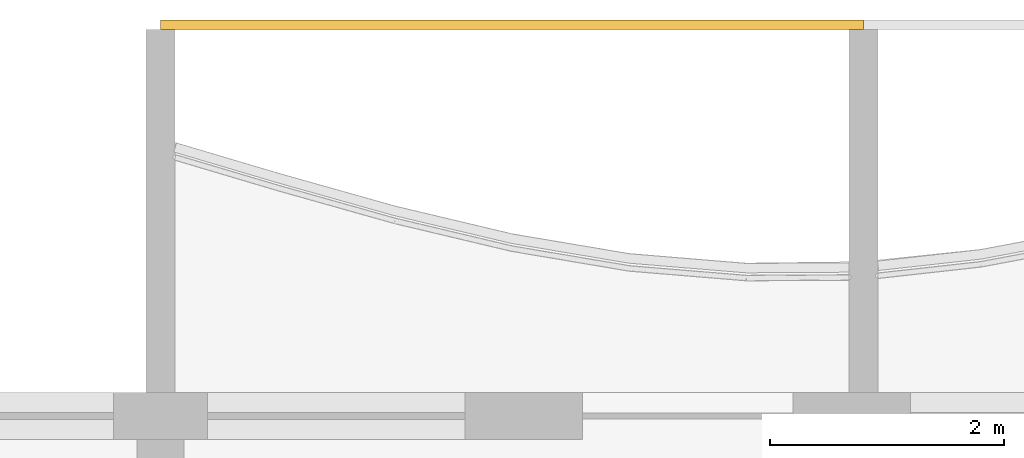
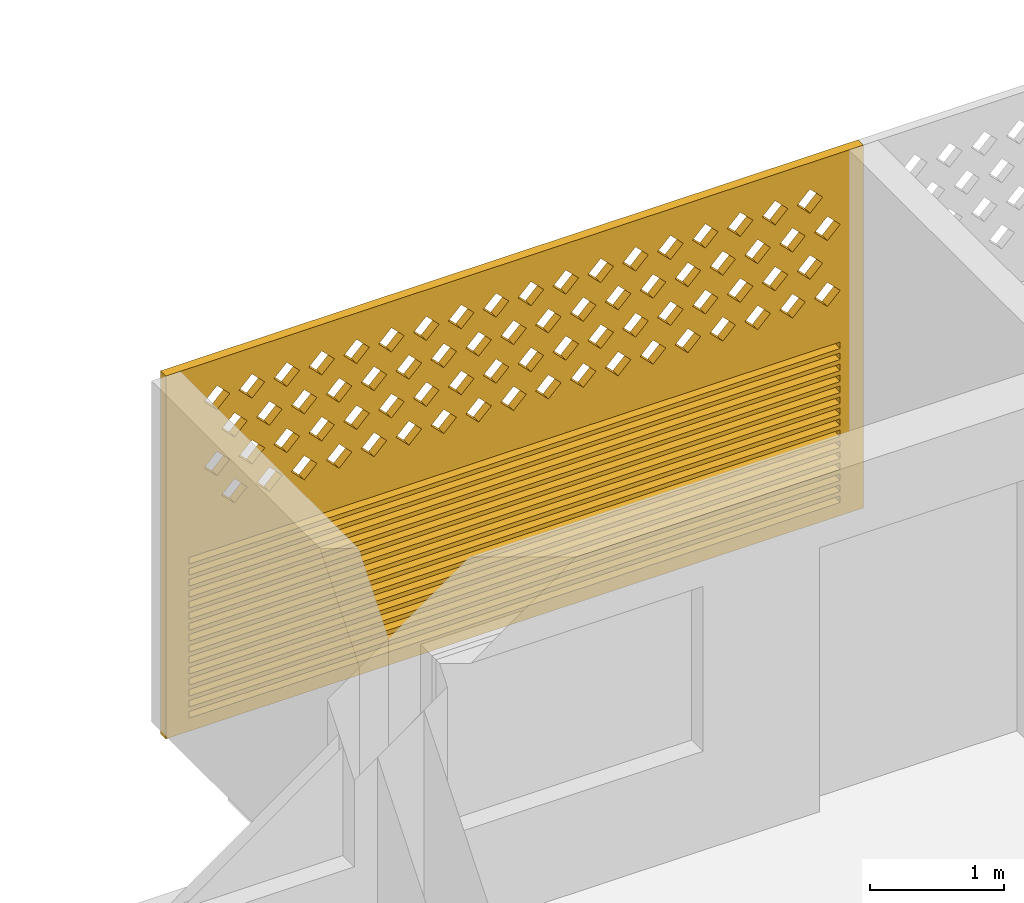
# One storey, part 36 of 38: 1 covering.
"""IFC4 building model written with IfcOpenShell, lengths in metres."""

from ifc_helpers import new_model, si_unit, direction, frame, origin, place, context, subcontext, project, spatial, polyline, outline, extrude, source, transform, mapped, material, material_profile, profile_set, type_object, element, save


model = new_model("IFC4")

# Units and contexts
model_context = context("Model", 3, precision=1e-05, world=origin(), true_north=direction((0.0, 1.0)))
body_context = subcontext(model_context, "Body", "Model", "MODEL_VIEW")
ifc_project = project(units=[si_unit("LENGTHUNIT", "METRE"), si_unit("AREAUNIT", "SQUARE_METRE"), si_unit("VOLUMEUNIT", "CUBIC_METRE"), si_unit("PLANEANGLEUNIT", "RADIAN"), si_unit("MASSUNIT", "GRAM", prefix="KILO")], contexts=[model_context])

# Site, building, storey
site_placement = place(None, origin())
site = spatial("IfcSite", under=ifc_project, at=site_placement, CompositionType="ELEMENT")
building_placement = place(site_placement, origin())
building = spatial("IfcBuilding", under=site, at=building_placement, Name="Poui Terraces", CompositionType="ELEMENT")
storey_placement = place(building_placement, frame((0.0, 0.0, 43.199951171875)))
storey = spatial("IfcBuildingStorey", under=building, at=storey_placement, Name="L11", CompositionType="ELEMENT", Elevation=43.199951171875)

# Covering
ifc_material = material(Name="Terracotta screen", Category="masonry")
ifc_material_profile = material_profile(ifc_material, outline(polyline([(-3.0, -1.64990234375), (3.0, -1.64990234375), (3.0, 1.64990234375), (-3.0, 1.64990234375), (-3.0, -1.64990234375)]), holes=[polyline([(-2.800048828125, 0.39990234375), (-2.68994140625, 0.2900390625), (-2.580078125, 0.39990234375), (-2.68994140625, 0.510009765625), (-2.800048828125, 0.39990234375)]), polyline([(-2.5, 0.39990234375), (-2.389892578125, 0.2900390625), (-2.280029296875, 0.39990234375), (-2.389892578125, 0.510009765625), (-2.5, 0.39990234375)]), polyline([(-2.199951171875, 0.39990234375), (-2.090087890625, 0.2900390625), (-1.97998046875, 0.39990234375), (-2.090087890625, 0.510009765625), (-2.199951171875, 0.39990234375)]), polyline([(-1.89990234375, 0.39990234375), (-1.7900390625, 0.2900390625), (-1.679931640625, 0.39990234375), (-1.7900390625, 0.510009765625), (-1.89990234375, 0.39990234375)]), polyline([(-1.60009765625, 0.39990234375), (-1.489990234375, 0.2900390625), (-1.3798828125, 0.39990234375), (-1.489990234375, 0.510009765625), (-1.60009765625, 0.39990234375)]), polyline([(-1.300048828125, 0.39990234375), (-1.18994140625, 0.2900390625), (-1.080078125, 0.39990234375), (-1.18994140625, 0.510009765625), (-1.300048828125, 0.39990234375)]), polyline([(-1.0, 0.39990234375), (-0.889892578125, 0.2900390625), (-0.780029296875, 0.39990234375), (-0.889892578125, 0.510009765625), (-1.0, 0.39990234375)]), polyline([(-0.699951171875, 0.39990234375), (-0.590087890625, 0.2900390625), (-0.47998046875, 0.39990234375), (-0.590087890625, 0.510009765625), (-0.699951171875, 0.39990234375)]), polyline([(-0.39990234375, 0.39990234375), (-0.2900390625, 0.2900390625), (-0.179931640625, 0.39990234375), (-0.2900390625, 0.510009765625), (-0.39990234375, 0.39990234375)]), polyline([(-0.10009765625, 0.39990234375), (0.010009765625, 0.2900390625), (0.1201171875, 0.39990234375), (0.010009765625, 0.510009765625), (-0.10009765625, 0.39990234375)]), polyline([(0.199951171875, 0.39990234375), (0.31005859375, 0.2900390625), (0.419921875, 0.39990234375), (0.31005859375, 0.510009765625), (0.199951171875, 0.39990234375)]), polyline([(0.5, 0.39990234375), (0.610107421875, 0.2900390625), (0.719970703125, 0.39990234375), (0.610107421875, 0.510009765625), (0.5, 0.39990234375)]), polyline([(0.800048828125, 0.39990234375), (0.909912109375, 0.2900390625), (1.02001953125, 0.39990234375), (0.909912109375, 0.510009765625), (0.800048828125, 0.39990234375)]), polyline([(1.10009765625, 0.39990234375), (1.2099609375, 0.2900390625), (1.320068359375, 0.39990234375), (1.2099609375, 0.510009765625), (1.10009765625, 0.39990234375)]), polyline([(1.39990234375, 0.39990234375), (1.510009765625, 0.2900390625), (1.6201171875, 0.39990234375), (1.510009765625, 0.510009765625), (1.39990234375, 0.39990234375)]), polyline([(1.699951171875, 0.39990234375), (1.81005859375, 0.2900390625), (1.919921875, 0.39990234375), (1.81005859375, 0.510009765625), (1.699951171875, 0.39990234375)]), polyline([(2.0, 0.39990234375), (2.110107421875, 0.2900390625), (2.219970703125, 0.39990234375), (2.110107421875, 0.510009765625), (2.0, 0.39990234375)]), polyline([(2.300048828125, 0.39990234375), (2.409912109375, 0.2900390625), (2.52001953125, 0.39990234375), (2.409912109375, 0.510009765625), (2.300048828125, 0.39990234375)]), polyline([(-2.64990234375, 0.699951171875), (-2.5400390625, 0.590087890625), (-2.429931640625, 0.699951171875), (-2.5400390625, 0.81005859375), (-2.64990234375, 0.699951171875)]), polyline([(-2.35009765625, 0.699951171875), (-2.239990234375, 0.590087890625), (-2.1298828125, 0.699951171875), (-2.239990234375, 0.81005859375), (-2.35009765625, 0.699951171875)]), polyline([(-2.050048828125, 0.699951171875), (-1.93994140625, 0.590087890625), (-1.830078125, 0.699951171875), (-1.93994140625, 0.81005859375), (-2.050048828125, 0.699951171875)]), polyline([(-1.75, 0.699951171875), (-1.639892578125, 0.590087890625), (-1.530029296875, 0.699951171875), (-1.639892578125, 0.81005859375), (-1.75, 0.699951171875)]), polyline([(-1.449951171875, 0.699951171875), (-1.340087890625, 0.590087890625), (-1.22998046875, 0.699951171875), (-1.340087890625, 0.81005859375), (-1.449951171875, 0.699951171875)]), polyline([(-1.14990234375, 0.699951171875), (-1.0400390625, 0.590087890625), (-0.929931640625, 0.699951171875), (-1.0400390625, 0.81005859375), (-1.14990234375, 0.699951171875)]), polyline([(-0.85009765625, 0.699951171875), (-0.739990234375, 0.590087890625), (-0.6298828125, 0.699951171875), (-0.739990234375, 0.81005859375), (-0.85009765625, 0.699951171875)]), polyline([(-0.550048828125, 0.699951171875), (-0.43994140625, 0.590087890625), (-0.330078125, 0.699951171875), (-0.43994140625, 0.81005859375), (-0.550048828125, 0.699951171875)]), polyline([(-0.25, 0.699951171875), (-0.139892578125, 0.590087890625), (-0.030029296875, 0.699951171875), (-0.139892578125, 0.81005859375), (-0.25, 0.699951171875)]), polyline([(0.050048828125, 0.699951171875), (0.159912109375, 0.590087890625), (0.27001953125, 0.699951171875), (0.159912109375, 0.81005859375), (0.050048828125, 0.699951171875)]), polyline([(0.35009765625, 0.699951171875), (0.4599609375, 0.590087890625), (0.570068359375, 0.699951171875), (0.4599609375, 0.81005859375), (0.35009765625, 0.699951171875)]), polyline([(0.64990234375, 0.699951171875), (0.760009765625, 0.590087890625), (0.8701171875, 0.699951171875), (0.760009765625, 0.81005859375), (0.64990234375, 0.699951171875)]), polyline([(0.949951171875, 0.699951171875), (1.06005859375, 0.590087890625), (1.169921875, 0.699951171875), (1.06005859375, 0.81005859375), (0.949951171875, 0.699951171875)]), polyline([(1.25, 0.699951171875), (1.360107421875, 0.590087890625), (1.469970703125, 0.699951171875), (1.360107421875, 0.81005859375), (1.25, 0.699951171875)]), polyline([(1.550048828125, 0.699951171875), (1.659912109375, 0.590087890625), (1.77001953125, 0.699951171875), (1.659912109375, 0.81005859375), (1.550048828125, 0.699951171875)]), polyline([(1.85009765625, 0.699951171875), (1.9599609375, 0.590087890625), (2.070068359375, 0.699951171875), (1.9599609375, 0.81005859375), (1.85009765625, 0.699951171875)]), polyline([(2.14990234375, 0.699951171875), (2.260009765625, 0.590087890625), (2.3701171875, 0.699951171875), (2.260009765625, 0.81005859375), (2.14990234375, 0.699951171875)]), polyline([(2.449951171875, 0.699951171875), (2.56005859375, 0.590087890625), (2.669921875, 0.699951171875), (2.56005859375, 0.81005859375), (2.449951171875, 0.699951171875)]), polyline([(-2.800048828125, 1.0), (-2.68994140625, 0.889892578125), (-2.580078125, 1.0), (-2.68994140625, 1.110107421875), (-2.800048828125, 1.0)]), polyline([(-2.5, 1.0), (-2.389892578125, 0.889892578125), (-2.280029296875, 1.0), (-2.389892578125, 1.110107421875), (-2.5, 1.0)]), polyline([(-2.199951171875, 1.0), (-2.090087890625, 0.889892578125), (-1.97998046875, 1.0), (-2.090087890625, 1.110107421875), (-2.199951171875, 1.0)]), polyline([(-1.89990234375, 1.0), (-1.7900390625, 0.889892578125), (-1.679931640625, 1.0), (-1.7900390625, 1.110107421875), (-1.89990234375, 1.0)]), polyline([(-1.60009765625, 1.0), (-1.489990234375, 0.889892578125), (-1.3798828125, 1.0), (-1.489990234375, 1.110107421875), (-1.60009765625, 1.0)]), polyline([(-1.300048828125, 1.0), (-1.18994140625, 0.889892578125), (-1.080078125, 1.0), (-1.18994140625, 1.110107421875), (-1.300048828125, 1.0)]), polyline([(-1.0, 1.0), (-0.889892578125, 0.889892578125), (-0.780029296875, 1.0), (-0.889892578125, 1.110107421875), (-1.0, 1.0)]), polyline([(-0.699951171875, 1.0), (-0.590087890625, 0.889892578125), (-0.47998046875, 1.0), (-0.590087890625, 1.110107421875), (-0.699951171875, 1.0)]), polyline([(-0.39990234375, 1.0), (-0.2900390625, 0.889892578125), (-0.179931640625, 1.0), (-0.2900390625, 1.110107421875), (-0.39990234375, 1.0)]), polyline([(-0.10009765625, 1.0), (0.010009765625, 0.889892578125), (0.1201171875, 1.0), (0.010009765625, 1.110107421875), (-0.10009765625, 1.0)]), polyline([(0.199951171875, 1.0), (0.31005859375, 0.889892578125), (0.419921875, 1.0), (0.31005859375, 1.110107421875), (0.199951171875, 1.0)]), polyline([(0.5, 1.0), (0.610107421875, 0.889892578125), (0.719970703125, 1.0), (0.610107421875, 1.110107421875), (0.5, 1.0)]), polyline([(0.800048828125, 1.0), (0.909912109375, 0.889892578125), (1.02001953125, 1.0), (0.909912109375, 1.110107421875), (0.800048828125, 1.0)]), polyline([(1.10009765625, 1.0), (1.2099609375, 0.889892578125), (1.320068359375, 1.0), (1.2099609375, 1.110107421875), (1.10009765625, 1.0)]), polyline([(1.39990234375, 1.0), (1.510009765625, 0.889892578125), (1.6201171875, 1.0), (1.510009765625, 1.110107421875), (1.39990234375, 1.0)]), polyline([(1.699951171875, 1.0), (1.81005859375, 0.889892578125), (1.919921875, 1.0), (1.81005859375, 1.110107421875), (1.699951171875, 1.0)]), polyline([(2.0, 1.0), (2.110107421875, 0.889892578125), (2.219970703125, 1.0), (2.110107421875, 1.110107421875), (2.0, 1.0)]), polyline([(2.300048828125, 1.0), (2.409912109375, 0.889892578125), (2.52001953125, 1.0), (2.409912109375, 1.110107421875), (2.300048828125, 1.0)]), polyline([(-2.64990234375, 1.300048828125), (-2.5400390625, 1.18994140625), (-2.429931640625, 1.300048828125), (-2.5400390625, 1.409912109375), (-2.64990234375, 1.300048828125)]), polyline([(-2.35009765625, 1.300048828125), (-2.239990234375, 1.18994140625), (-2.1298828125, 1.300048828125), (-2.239990234375, 1.409912109375), (-2.35009765625, 1.300048828125)]), polyline([(-2.050048828125, 1.300048828125), (-1.93994140625, 1.18994140625), (-1.830078125, 1.300048828125), (-1.93994140625, 1.409912109375), (-2.050048828125, 1.300048828125)]), polyline([(-1.75, 1.300048828125), (-1.639892578125, 1.18994140625), (-1.530029296875, 1.300048828125), (-1.639892578125, 1.409912109375), (-1.75, 1.300048828125)]), polyline([(-1.449951171875, 1.300048828125), (-1.340087890625, 1.18994140625), (-1.22998046875, 1.300048828125), (-1.340087890625, 1.409912109375), (-1.449951171875, 1.300048828125)]), polyline([(-1.14990234375, 1.300048828125), (-1.0400390625, 1.18994140625), (-0.929931640625, 1.300048828125), (-1.0400390625, 1.409912109375), (-1.14990234375, 1.300048828125)]), polyline([(-0.85009765625, 1.300048828125), (-0.739990234375, 1.18994140625), (-0.6298828125, 1.300048828125), (-0.739990234375, 1.409912109375), (-0.85009765625, 1.300048828125)]), polyline([(-0.550048828125, 1.300048828125), (-0.43994140625, 1.18994140625), (-0.330078125, 1.300048828125), (-0.43994140625, 1.409912109375), (-0.550048828125, 1.300048828125)]), polyline([(-0.25, 1.300048828125), (-0.139892578125, 1.18994140625), (-0.030029296875, 1.300048828125), (-0.139892578125, 1.409912109375), (-0.25, 1.300048828125)]), polyline([(0.050048828125, 1.300048828125), (0.159912109375, 1.18994140625), (0.27001953125, 1.300048828125), (0.159912109375, 1.409912109375), (0.050048828125, 1.300048828125)]), polyline([(0.35009765625, 1.300048828125), (0.4599609375, 1.18994140625), (0.570068359375, 1.300048828125), (0.4599609375, 1.409912109375), (0.35009765625, 1.300048828125)]), polyline([(0.64990234375, 1.300048828125), (0.760009765625, 1.18994140625), (0.8701171875, 1.300048828125), (0.760009765625, 1.409912109375), (0.64990234375, 1.300048828125)]), polyline([(0.949951171875, 1.300048828125), (1.06005859375, 1.18994140625), (1.169921875, 1.300048828125), (1.06005859375, 1.409912109375), (0.949951171875, 1.300048828125)]), polyline([(1.25, 1.300048828125), (1.360107421875, 1.18994140625), (1.469970703125, 1.300048828125), (1.360107421875, 1.409912109375), (1.25, 1.300048828125)]), polyline([(1.550048828125, 1.300048828125), (1.659912109375, 1.18994140625), (1.77001953125, 1.300048828125), (1.659912109375, 1.409912109375), (1.550048828125, 1.300048828125)]), polyline([(1.85009765625, 1.300048828125), (1.9599609375, 1.18994140625), (2.070068359375, 1.300048828125), (1.9599609375, 1.409912109375), (1.85009765625, 1.300048828125)]), polyline([(2.14990234375, 1.300048828125), (2.260009765625, 1.18994140625), (2.3701171875, 1.300048828125), (2.260009765625, 1.409912109375), (2.14990234375, 1.300048828125)]), polyline([(2.449951171875, 1.300048828125), (2.56005859375, 1.18994140625), (2.669921875, 1.300048828125), (2.56005859375, 1.409912109375), (2.449951171875, 1.300048828125)]), polyline([(-2.800048828125, -1.530029296875), (2.800048828125, -1.530029296875), (2.800048828125, -1.469970703125), (-2.800048828125, -1.469970703125), (-2.800048828125, -1.530029296875)]), polyline([(-2.800048828125, -1.429931640625), (2.800048828125, -1.429931640625), (2.800048828125, -1.3701171875), (-2.800048828125, -1.3701171875), (-2.800048828125, -1.429931640625)]), polyline([(-2.800048828125, -1.330078125), (2.800048828125, -1.330078125), (2.800048828125, -1.27001953125), (-2.800048828125, -1.27001953125), (-2.800048828125, -1.330078125)]), polyline([(-2.800048828125, -1.22998046875), (2.800048828125, -1.22998046875), (2.800048828125, -1.169921875), (-2.800048828125, -1.169921875), (-2.800048828125, -1.22998046875)]), polyline([(-2.800048828125, -1.1298828125), (2.800048828125, -1.1298828125), (2.800048828125, -1.070068359375), (-2.800048828125, -1.070068359375), (-2.800048828125, -1.1298828125)]), polyline([(-2.800048828125, -1.030029296875), (2.800048828125, -1.030029296875), (2.800048828125, -0.969970703125), (-2.800048828125, -0.969970703125), (-2.800048828125, -1.030029296875)]), polyline([(-2.800048828125, -0.929931640625), (2.800048828125, -0.929931640625), (2.800048828125, -0.8701171875), (-2.800048828125, -0.8701171875), (-2.800048828125, -0.929931640625)]), polyline([(-2.800048828125, -0.830078125), (2.800048828125, -0.830078125), (2.800048828125, -0.77001953125), (-2.800048828125, -0.77001953125), (-2.800048828125, -0.830078125)]), polyline([(-2.800048828125, -0.72998046875), (2.800048828125, -0.72998046875), (2.800048828125, -0.669921875), (-2.800048828125, -0.669921875), (-2.800048828125, -0.72998046875)]), polyline([(-2.800048828125, -0.6298828125), (2.800048828125, -0.6298828125), (2.800048828125, -0.570068359375), (-2.800048828125, -0.570068359375), (-2.800048828125, -0.6298828125)]), polyline([(-2.800048828125, -0.530029296875), (2.800048828125, -0.530029296875), (2.800048828125, -0.469970703125), (-2.800048828125, -0.469970703125), (-2.800048828125, -0.530029296875)]), polyline([(-2.800048828125, -0.429931640625), (2.800048828125, -0.429931640625), (2.800048828125, -0.3701171875), (-2.800048828125, -0.3701171875), (-2.800048828125, -0.429931640625)]), polyline([(-2.800048828125, -0.330078125), (2.800048828125, -0.330078125), (2.800048828125, -0.27001953125), (-2.800048828125, -0.27001953125), (-2.800048828125, -0.330078125)]), polyline([(-2.800048828125, -0.22998046875), (2.800048828125, -0.22998046875), (2.800048828125, -0.169921875), (-2.800048828125, -0.169921875), (-2.800048828125, -0.22998046875)]), polyline([(-2.800048828125, -0.1298828125), (2.800048828125, -0.1298828125), (2.800048828125, -0.070068359375), (-2.800048828125, -0.070068359375), (-2.800048828125, -0.1298828125)])]), Name="TERRACOTTA SCREEN AND JALOUSIE LOUVRE 6000X3300")
ifc_profile_set = profile_set([ifc_material_profile], Name="Terracotta screen")
covering_type = type_object("IfcCoveringType", Name="TERRACOTTA SCREEN AND JALOUSIE LOUVRE 6000X3300", PredefinedType="CLADDING", material=ifc_profile_set)
shared_shape = source(origin(), body_context, "Body", "SweptSolid", [
    extrude(outline(polyline([(-3.0, -1.64990234375), (3.0, -1.64990234375), (3.0, 1.64990234375), (-3.0, 1.64990234375), (-3.0, -1.64990234375)]), holes=[polyline([(-2.800048828125, 0.39990234375), (-2.68994140625, 0.2900390625), (-2.580078125, 0.39990234375), (-2.68994140625, 0.510009765625), (-2.800048828125, 0.39990234375)]), polyline([(-2.5, 0.39990234375), (-2.389892578125, 0.2900390625), (-2.280029296875, 0.39990234375), (-2.389892578125, 0.510009765625), (-2.5, 0.39990234375)]), polyline([(-2.199951171875, 0.39990234375), (-2.090087890625, 0.2900390625), (-1.97998046875, 0.39990234375), (-2.090087890625, 0.510009765625), (-2.199951171875, 0.39990234375)]), polyline([(-1.89990234375, 0.39990234375), (-1.7900390625, 0.2900390625), (-1.679931640625, 0.39990234375), (-1.7900390625, 0.510009765625), (-1.89990234375, 0.39990234375)]), polyline([(-1.60009765625, 0.39990234375), (-1.489990234375, 0.2900390625), (-1.3798828125, 0.39990234375), (-1.489990234375, 0.510009765625), (-1.60009765625, 0.39990234375)]), polyline([(-1.300048828125, 0.39990234375), (-1.18994140625, 0.2900390625), (-1.080078125, 0.39990234375), (-1.18994140625, 0.510009765625), (-1.300048828125, 0.39990234375)]), polyline([(-1.0, 0.39990234375), (-0.889892578125, 0.2900390625), (-0.780029296875, 0.39990234375), (-0.889892578125, 0.510009765625), (-1.0, 0.39990234375)]), polyline([(-0.699951171875, 0.39990234375), (-0.590087890625, 0.2900390625), (-0.47998046875, 0.39990234375), (-0.590087890625, 0.510009765625), (-0.699951171875, 0.39990234375)]), polyline([(-0.39990234375, 0.39990234375), (-0.2900390625, 0.2900390625), (-0.179931640625, 0.39990234375), (-0.2900390625, 0.510009765625), (-0.39990234375, 0.39990234375)]), polyline([(-0.10009765625, 0.39990234375), (0.010009765625, 0.2900390625), (0.1201171875, 0.39990234375), (0.010009765625, 0.510009765625), (-0.10009765625, 0.39990234375)]), polyline([(0.199951171875, 0.39990234375), (0.31005859375, 0.2900390625), (0.419921875, 0.39990234375), (0.31005859375, 0.510009765625), (0.199951171875, 0.39990234375)]), polyline([(0.5, 0.39990234375), (0.610107421875, 0.2900390625), (0.719970703125, 0.39990234375), (0.610107421875, 0.510009765625), (0.5, 0.39990234375)]), polyline([(0.800048828125, 0.39990234375), (0.909912109375, 0.2900390625), (1.02001953125, 0.39990234375), (0.909912109375, 0.510009765625), (0.800048828125, 0.39990234375)]), polyline([(1.10009765625, 0.39990234375), (1.2099609375, 0.2900390625), (1.320068359375, 0.39990234375), (1.2099609375, 0.510009765625), (1.10009765625, 0.39990234375)]), polyline([(1.39990234375, 0.39990234375), (1.510009765625, 0.2900390625), (1.6201171875, 0.39990234375), (1.510009765625, 0.510009765625), (1.39990234375, 0.39990234375)]), polyline([(1.699951171875, 0.39990234375), (1.81005859375, 0.2900390625), (1.919921875, 0.39990234375), (1.81005859375, 0.510009765625), (1.699951171875, 0.39990234375)]), polyline([(2.0, 0.39990234375), (2.110107421875, 0.2900390625), (2.219970703125, 0.39990234375), (2.110107421875, 0.510009765625), (2.0, 0.39990234375)]), polyline([(2.300048828125, 0.39990234375), (2.409912109375, 0.2900390625), (2.52001953125, 0.39990234375), (2.409912109375, 0.510009765625), (2.300048828125, 0.39990234375)]), polyline([(-2.64990234375, 0.699951171875), (-2.5400390625, 0.590087890625), (-2.429931640625, 0.699951171875), (-2.5400390625, 0.81005859375), (-2.64990234375, 0.699951171875)]), polyline([(-2.35009765625, 0.699951171875), (-2.239990234375, 0.590087890625), (-2.1298828125, 0.699951171875), (-2.239990234375, 0.81005859375), (-2.35009765625, 0.699951171875)]), polyline([(-2.050048828125, 0.699951171875), (-1.93994140625, 0.590087890625), (-1.830078125, 0.699951171875), (-1.93994140625, 0.81005859375), (-2.050048828125, 0.699951171875)]), polyline([(-1.75, 0.699951171875), (-1.639892578125, 0.590087890625), (-1.530029296875, 0.699951171875), (-1.639892578125, 0.81005859375), (-1.75, 0.699951171875)]), polyline([(-1.449951171875, 0.699951171875), (-1.340087890625, 0.590087890625), (-1.22998046875, 0.699951171875), (-1.340087890625, 0.81005859375), (-1.449951171875, 0.699951171875)]), polyline([(-1.14990234375, 0.699951171875), (-1.0400390625, 0.590087890625), (-0.929931640625, 0.699951171875), (-1.0400390625, 0.81005859375), (-1.14990234375, 0.699951171875)]), polyline([(-0.85009765625, 0.699951171875), (-0.739990234375, 0.590087890625), (-0.6298828125, 0.699951171875), (-0.739990234375, 0.81005859375), (-0.85009765625, 0.699951171875)]), polyline([(-0.550048828125, 0.699951171875), (-0.43994140625, 0.590087890625), (-0.330078125, 0.699951171875), (-0.43994140625, 0.81005859375), (-0.550048828125, 0.699951171875)]), polyline([(-0.25, 0.699951171875), (-0.139892578125, 0.590087890625), (-0.030029296875, 0.699951171875), (-0.139892578125, 0.81005859375), (-0.25, 0.699951171875)]), polyline([(0.050048828125, 0.699951171875), (0.159912109375, 0.590087890625), (0.27001953125, 0.699951171875), (0.159912109375, 0.81005859375), (0.050048828125, 0.699951171875)]), polyline([(0.35009765625, 0.699951171875), (0.4599609375, 0.590087890625), (0.570068359375, 0.699951171875), (0.4599609375, 0.81005859375), (0.35009765625, 0.699951171875)]), polyline([(0.64990234375, 0.699951171875), (0.760009765625, 0.590087890625), (0.8701171875, 0.699951171875), (0.760009765625, 0.81005859375), (0.64990234375, 0.699951171875)]), polyline([(0.949951171875, 0.699951171875), (1.06005859375, 0.590087890625), (1.169921875, 0.699951171875), (1.06005859375, 0.81005859375), (0.949951171875, 0.699951171875)]), polyline([(1.25, 0.699951171875), (1.360107421875, 0.590087890625), (1.469970703125, 0.699951171875), (1.360107421875, 0.81005859375), (1.25, 0.699951171875)]), polyline([(1.550048828125, 0.699951171875), (1.659912109375, 0.590087890625), (1.77001953125, 0.699951171875), (1.659912109375, 0.81005859375), (1.550048828125, 0.699951171875)]), polyline([(1.85009765625, 0.699951171875), (1.9599609375, 0.590087890625), (2.070068359375, 0.699951171875), (1.9599609375, 0.81005859375), (1.85009765625, 0.699951171875)]), polyline([(2.14990234375, 0.699951171875), (2.260009765625, 0.590087890625), (2.3701171875, 0.699951171875), (2.260009765625, 0.81005859375), (2.14990234375, 0.699951171875)]), polyline([(2.449951171875, 0.699951171875), (2.56005859375, 0.590087890625), (2.669921875, 0.699951171875), (2.56005859375, 0.81005859375), (2.449951171875, 0.699951171875)]), polyline([(-2.800048828125, 1.0), (-2.68994140625, 0.889892578125), (-2.580078125, 1.0), (-2.68994140625, 1.110107421875), (-2.800048828125, 1.0)]), polyline([(-2.5, 1.0), (-2.389892578125, 0.889892578125), (-2.280029296875, 1.0), (-2.389892578125, 1.110107421875), (-2.5, 1.0)]), polyline([(-2.199951171875, 1.0), (-2.090087890625, 0.889892578125), (-1.97998046875, 1.0), (-2.090087890625, 1.110107421875), (-2.199951171875, 1.0)]), polyline([(-1.89990234375, 1.0), (-1.7900390625, 0.889892578125), (-1.679931640625, 1.0), (-1.7900390625, 1.110107421875), (-1.89990234375, 1.0)]), polyline([(-1.60009765625, 1.0), (-1.489990234375, 0.889892578125), (-1.3798828125, 1.0), (-1.489990234375, 1.110107421875), (-1.60009765625, 1.0)]), polyline([(-1.300048828125, 1.0), (-1.18994140625, 0.889892578125), (-1.080078125, 1.0), (-1.18994140625, 1.110107421875), (-1.300048828125, 1.0)]), polyline([(-1.0, 1.0), (-0.889892578125, 0.889892578125), (-0.780029296875, 1.0), (-0.889892578125, 1.110107421875), (-1.0, 1.0)]), polyline([(-0.699951171875, 1.0), (-0.590087890625, 0.889892578125), (-0.47998046875, 1.0), (-0.590087890625, 1.110107421875), (-0.699951171875, 1.0)]), polyline([(-0.39990234375, 1.0), (-0.2900390625, 0.889892578125), (-0.179931640625, 1.0), (-0.2900390625, 1.110107421875), (-0.39990234375, 1.0)]), polyline([(-0.10009765625, 1.0), (0.010009765625, 0.889892578125), (0.1201171875, 1.0), (0.010009765625, 1.110107421875), (-0.10009765625, 1.0)]), polyline([(0.199951171875, 1.0), (0.31005859375, 0.889892578125), (0.419921875, 1.0), (0.31005859375, 1.110107421875), (0.199951171875, 1.0)]), polyline([(0.5, 1.0), (0.610107421875, 0.889892578125), (0.719970703125, 1.0), (0.610107421875, 1.110107421875), (0.5, 1.0)]), polyline([(0.800048828125, 1.0), (0.909912109375, 0.889892578125), (1.02001953125, 1.0), (0.909912109375, 1.110107421875), (0.800048828125, 1.0)]), polyline([(1.10009765625, 1.0), (1.2099609375, 0.889892578125), (1.320068359375, 1.0), (1.2099609375, 1.110107421875), (1.10009765625, 1.0)]), polyline([(1.39990234375, 1.0), (1.510009765625, 0.889892578125), (1.6201171875, 1.0), (1.510009765625, 1.110107421875), (1.39990234375, 1.0)]), polyline([(1.699951171875, 1.0), (1.81005859375, 0.889892578125), (1.919921875, 1.0), (1.81005859375, 1.110107421875), (1.699951171875, 1.0)]), polyline([(2.0, 1.0), (2.110107421875, 0.889892578125), (2.219970703125, 1.0), (2.110107421875, 1.110107421875), (2.0, 1.0)]), polyline([(2.300048828125, 1.0), (2.409912109375, 0.889892578125), (2.52001953125, 1.0), (2.409912109375, 1.110107421875), (2.300048828125, 1.0)]), polyline([(-2.64990234375, 1.300048828125), (-2.5400390625, 1.18994140625), (-2.429931640625, 1.300048828125), (-2.5400390625, 1.409912109375), (-2.64990234375, 1.300048828125)]), polyline([(-2.35009765625, 1.300048828125), (-2.239990234375, 1.18994140625), (-2.1298828125, 1.300048828125), (-2.239990234375, 1.409912109375), (-2.35009765625, 1.300048828125)]), polyline([(-2.050048828125, 1.300048828125), (-1.93994140625, 1.18994140625), (-1.830078125, 1.300048828125), (-1.93994140625, 1.409912109375), (-2.050048828125, 1.300048828125)]), polyline([(-1.75, 1.300048828125), (-1.639892578125, 1.18994140625), (-1.530029296875, 1.300048828125), (-1.639892578125, 1.409912109375), (-1.75, 1.300048828125)]), polyline([(-1.449951171875, 1.300048828125), (-1.340087890625, 1.18994140625), (-1.22998046875, 1.300048828125), (-1.340087890625, 1.409912109375), (-1.449951171875, 1.300048828125)]), polyline([(-1.14990234375, 1.300048828125), (-1.0400390625, 1.18994140625), (-0.929931640625, 1.300048828125), (-1.0400390625, 1.409912109375), (-1.14990234375, 1.300048828125)]), polyline([(-0.85009765625, 1.300048828125), (-0.739990234375, 1.18994140625), (-0.6298828125, 1.300048828125), (-0.739990234375, 1.409912109375), (-0.85009765625, 1.300048828125)]), polyline([(-0.550048828125, 1.300048828125), (-0.43994140625, 1.18994140625), (-0.330078125, 1.300048828125), (-0.43994140625, 1.409912109375), (-0.550048828125, 1.300048828125)]), polyline([(-0.25, 1.300048828125), (-0.139892578125, 1.18994140625), (-0.030029296875, 1.300048828125), (-0.139892578125, 1.409912109375), (-0.25, 1.300048828125)]), polyline([(0.050048828125, 1.300048828125), (0.159912109375, 1.18994140625), (0.27001953125, 1.300048828125), (0.159912109375, 1.409912109375), (0.050048828125, 1.300048828125)]), polyline([(0.35009765625, 1.300048828125), (0.4599609375, 1.18994140625), (0.570068359375, 1.300048828125), (0.4599609375, 1.409912109375), (0.35009765625, 1.300048828125)]), polyline([(0.64990234375, 1.300048828125), (0.760009765625, 1.18994140625), (0.8701171875, 1.300048828125), (0.760009765625, 1.409912109375), (0.64990234375, 1.300048828125)]), polyline([(0.949951171875, 1.300048828125), (1.06005859375, 1.18994140625), (1.169921875, 1.300048828125), (1.06005859375, 1.409912109375), (0.949951171875, 1.300048828125)]), polyline([(1.25, 1.300048828125), (1.360107421875, 1.18994140625), (1.469970703125, 1.300048828125), (1.360107421875, 1.409912109375), (1.25, 1.300048828125)]), polyline([(1.550048828125, 1.300048828125), (1.659912109375, 1.18994140625), (1.77001953125, 1.300048828125), (1.659912109375, 1.409912109375), (1.550048828125, 1.300048828125)]), polyline([(1.85009765625, 1.300048828125), (1.9599609375, 1.18994140625), (2.070068359375, 1.300048828125), (1.9599609375, 1.409912109375), (1.85009765625, 1.300048828125)]), polyline([(2.14990234375, 1.300048828125), (2.260009765625, 1.18994140625), (2.3701171875, 1.300048828125), (2.260009765625, 1.409912109375), (2.14990234375, 1.300048828125)]), polyline([(2.449951171875, 1.300048828125), (2.56005859375, 1.18994140625), (2.669921875, 1.300048828125), (2.56005859375, 1.409912109375), (2.449951171875, 1.300048828125)]), polyline([(-2.800048828125, -1.530029296875), (2.800048828125, -1.530029296875), (2.800048828125, -1.469970703125), (-2.800048828125, -1.469970703125), (-2.800048828125, -1.530029296875)]), polyline([(-2.800048828125, -1.429931640625), (2.800048828125, -1.429931640625), (2.800048828125, -1.3701171875), (-2.800048828125, -1.3701171875), (-2.800048828125, -1.429931640625)]), polyline([(-2.800048828125, -1.330078125), (2.800048828125, -1.330078125), (2.800048828125, -1.27001953125), (-2.800048828125, -1.27001953125), (-2.800048828125, -1.330078125)]), polyline([(-2.800048828125, -1.22998046875), (2.800048828125, -1.22998046875), (2.800048828125, -1.169921875), (-2.800048828125, -1.169921875), (-2.800048828125, -1.22998046875)]), polyline([(-2.800048828125, -1.1298828125), (2.800048828125, -1.1298828125), (2.800048828125, -1.070068359375), (-2.800048828125, -1.070068359375), (-2.800048828125, -1.1298828125)]), polyline([(-2.800048828125, -1.030029296875), (2.800048828125, -1.030029296875), (2.800048828125, -0.969970703125), (-2.800048828125, -0.969970703125), (-2.800048828125, -1.030029296875)]), polyline([(-2.800048828125, -0.929931640625), (2.800048828125, -0.929931640625), (2.800048828125, -0.8701171875), (-2.800048828125, -0.8701171875), (-2.800048828125, -0.929931640625)]), polyline([(-2.800048828125, -0.830078125), (2.800048828125, -0.830078125), (2.800048828125, -0.77001953125), (-2.800048828125, -0.77001953125), (-2.800048828125, -0.830078125)]), polyline([(-2.800048828125, -0.72998046875), (2.800048828125, -0.72998046875), (2.800048828125, -0.669921875), (-2.800048828125, -0.669921875), (-2.800048828125, -0.72998046875)]), polyline([(-2.800048828125, -0.6298828125), (2.800048828125, -0.6298828125), (2.800048828125, -0.570068359375), (-2.800048828125, -0.570068359375), (-2.800048828125, -0.6298828125)]), polyline([(-2.800048828125, -0.530029296875), (2.800048828125, -0.530029296875), (2.800048828125, -0.469970703125), (-2.800048828125, -0.469970703125), (-2.800048828125, -0.530029296875)]), polyline([(-2.800048828125, -0.429931640625), (2.800048828125, -0.429931640625), (2.800048828125, -0.3701171875), (-2.800048828125, -0.3701171875), (-2.800048828125, -0.429931640625)]), polyline([(-2.800048828125, -0.330078125), (2.800048828125, -0.330078125), (2.800048828125, -0.27001953125), (-2.800048828125, -0.27001953125), (-2.800048828125, -0.330078125)]), polyline([(-2.800048828125, -0.22998046875), (2.800048828125, -0.22998046875), (2.800048828125, -0.169921875), (-2.800048828125, -0.169921875), (-2.800048828125, -0.22998046875)]), polyline([(-2.800048828125, -0.1298828125), (2.800048828125, -0.1298828125), (2.800048828125, -0.070068359375), (-2.800048828125, -0.070068359375), (-2.800048828125, -0.1298828125)])]), origin(), (0.0, 0.0, 1.0), 0.079833984375),
])
covering_placement = place(storey_placement, frame((87.0, 48.10009765625, 1.449951171875), z_axis=(0.0, 1.0, 0.0), x_axis=(-1.0, 0.0, 0.0)))
element("IfcCovering", 1, at=covering_placement, inside=storey, type_object=covering_type, Name="SOLAR SCREEN AND JALOUSIE LOUVRE", PredefinedType="CLADDING", context=body_context, shape_type="MappedRepresentation", body=[
    mapped(shared_shape, transform((0.0, 0.0, 0.0))),
])

save(model, "model.ifc")
